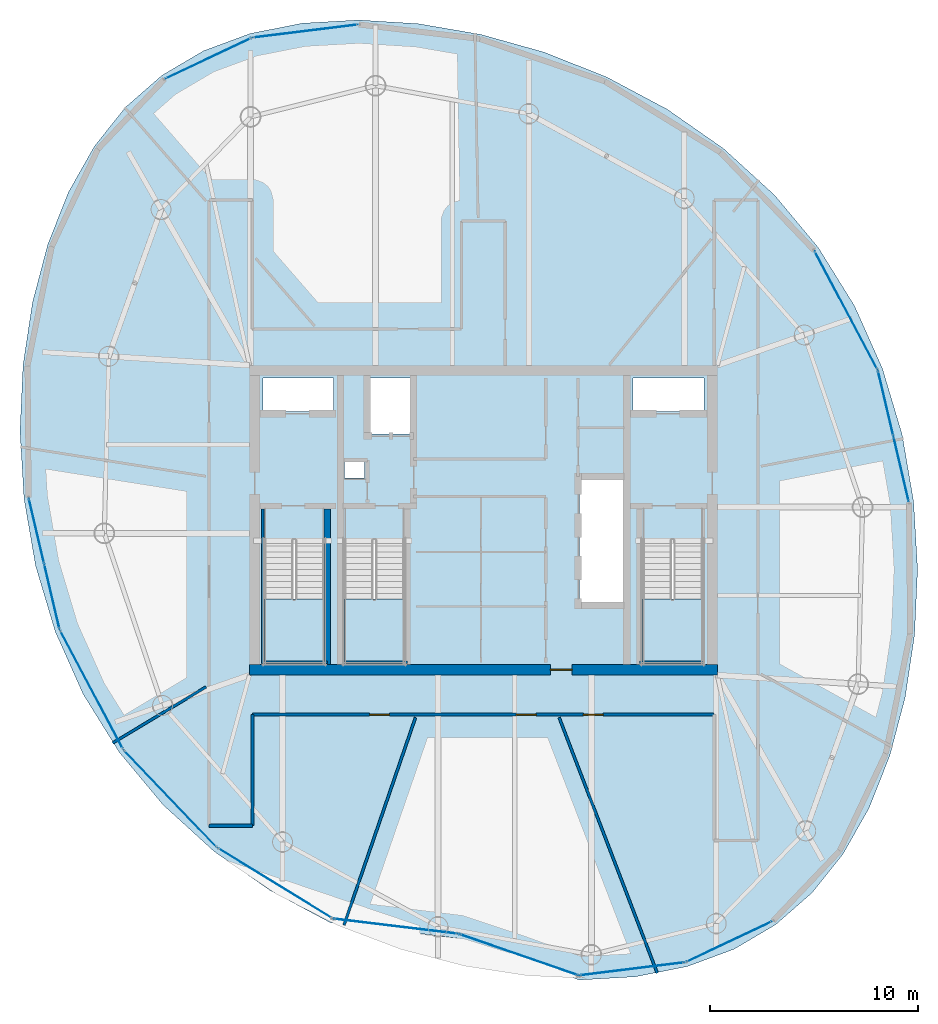
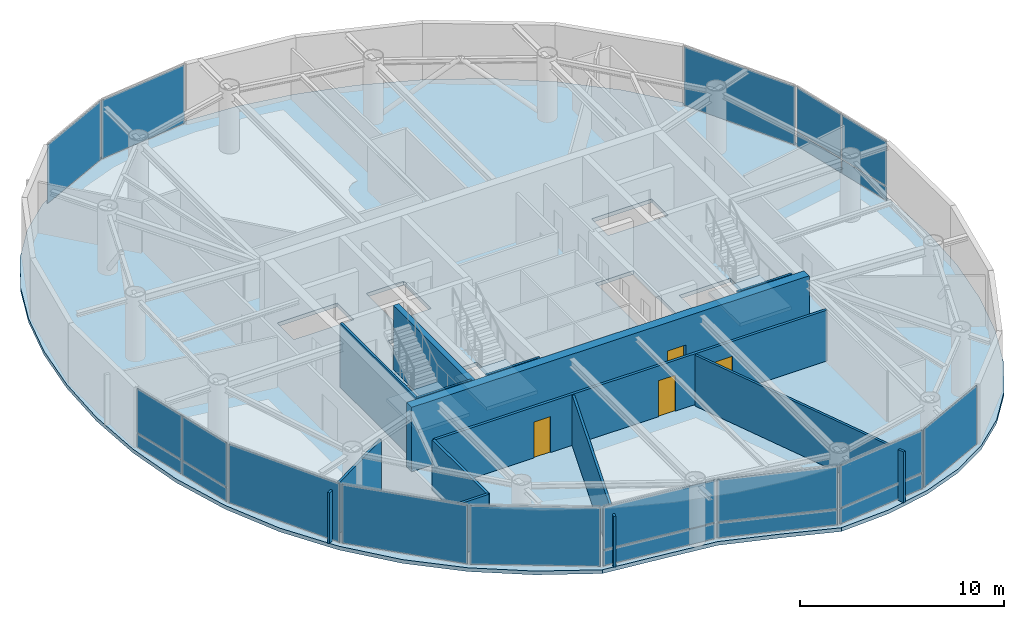
# One storey, part 15 of 21: 21 plates, 12 walls, 4 doors, 4 slabs, 4 openings, 15 elements without a shape of their own.
"""IFC4 building model written with IfcOpenShell, lengths in metres."""

from ifc_helpers import new_model, si_unit, direction, frame, frame_2d, origin, origin_2d, place, context, subcontext, project, spatial, polyline, rectangle, outline, extrude, material, layer, layer_set, type_object, element, fill, aggregate, save


model = new_model("IFC4")

# Units and contexts
model_context = context("Model", 3, precision=1e-05, world=origin(), true_north=direction((0.0, 1.0)))
body_context = subcontext(model_context, "Body", "Model", "MODEL_VIEW")
ifc_project = project(units=[si_unit("LENGTHUNIT", "METRE"), si_unit("AREAUNIT", "SQUARE_METRE"), si_unit("VOLUMEUNIT", "CUBIC_METRE"), si_unit("PLANEANGLEUNIT", "RADIAN"), si_unit("MASSUNIT", "GRAM", prefix="KILO")], contexts=[model_context])

# Site, building, storey
site_placement = place(None, origin())
site = spatial("IfcSite", under=ifc_project, at=site_placement, CompositionType="ELEMENT")
building_placement = place(site_placement, origin())
building = spatial("IfcBuilding", under=site, at=building_placement, Name="Bramvorn Convention Spire", CompositionType="ELEMENT")
storey_placement = place(building_placement, frame((0.0, 0.0, 249.75)))
storey = spatial("IfcBuildingStorey", under=building, at=storey_placement, Name="L63", CompositionType="ELEMENT", Elevation=249.75)

# Curtain wall, plates
ifc_material_1 = material(Name="Anodised Bronze Unitised Curtain Wall", Category="aluminium")
ifc_layer_1 = layer(ifc_material_1, 0.179931640625)
ifc_layer_set_1 = layer_set([ifc_layer_1], Name="Anodised Bronze Unitised Curtain Wall - CW-OFF-FRIT")
curtain_wall_type_1 = type_object("IfcCurtainWallType", Name="CW-OFF-FRIT", PredefinedType="USERDEFINED", material=ifc_layer_set_1)
curtain_wall_1_placement = place(storey_placement, origin())
curtain_wall_1 = element("IfcCurtainWall", 1, at=curtain_wall_1_placement, inside=storey, type_object=curtain_wall_type_1, Name="L63 fritted glass curtain wall 05", ObjectType="UNITISED CURTAIN WALL", PredefinedType="USERDEFINED")
ifc_material_2 = material(Name="Laminated Low-E Glass (Triple IGU High-VLT Low-Iron 22%)", Category="glass")
ifc_layer_2 = layer(ifc_material_2, 0.0419921875)
ifc_layer_set_2 = layer_set([ifc_layer_2], Name="Laminated Low-E Glass (Triple IGU High-VLT Low-Iron 22%) - PNL-IGU-4")
plate_type_1 = type_object("IfcPlateType", Name="PNL-IGU-4", PredefinedType="CURTAIN_PANEL", material=ifc_layer_set_2)
plate_1_placement = place(storey_placement, frame((57.3505859375, 31.6103515625, 0.06005859375), z_axis=(0.0, 0.0, 1.0), x_axis=(0.229078620658, -0.973407923513, 0.0)))
plate_1 = element("IfcPlate", 2, at=plate_1_placement, type_object=plate_type_1, Name="CW3 panel 1.1", PredefinedType="CURTAIN_PANEL", context=body_context, shape_type="SweptSolid", body=[
    extrude(rectangle(XDim=3.173095703125, YDim=0.028076171875, at=origin_2d()), origin(), (0.0, 0.0, 1.0), 0.81005859375),
])
plate_2_placement = place(storey_placement, frame((57.3505859375, 31.6103515625, 0.93017578125), z_axis=(0.0, 0.0, 1.0), x_axis=(0.229078620658, -0.973407923513, 0.0)))
plate_2 = element("IfcPlate", 3, at=plate_2_placement, type_object=plate_type_1, Name="CW3 panel 1.2", PredefinedType="CURTAIN_PANEL", context=body_context, shape_type="SweptSolid", body=[
    extrude(rectangle(XDim=3.173095703125, YDim=0.028076171875, at=origin_2d()), origin(), (0.0, 0.0, 1.0), 2.635009765625),
])
plate_3_placement = place(storey_placement, frame((58.091064453125, 28.46337890625, 0.06005859375), z_axis=(0.0, 0.0, 1.0), x_axis=(0.229078620658, -0.973407923513, 0.0)))
plate_3 = element("IfcPlate", 4, at=plate_3_placement, type_object=plate_type_1, Name="CW3 panel 2.1", PredefinedType="CURTAIN_PANEL", context=body_context, shape_type="SweptSolid", body=[
    extrude(rectangle(XDim=3.173095703125, YDim=0.028076171875, at=origin_2d()), origin(), (0.0, 0.0, 1.0), 0.81005859375),
])
plate_4_placement = place(storey_placement, frame((58.091064453125, 28.46337890625, 0.93017578125), z_axis=(0.0, 0.0, 1.0), x_axis=(0.229078620658, -0.973407923513, 0.0)))
plate_4 = element("IfcPlate", 5, at=plate_4_placement, type_object=plate_type_1, Name="CW3 panel 2.2", PredefinedType="CURTAIN_PANEL", context=body_context, shape_type="SweptSolid", body=[
    extrude(rectangle(XDim=3.173095703125, YDim=0.028076171875, at=origin_2d()), origin(), (0.0, 0.0, 1.0), 2.635009765625),
])
aggregate(curtain_wall_1, [plate_1, plate_2, plate_3, plate_4])

# Curtain wall, plate
curtain_wall_2_placement = place(storey_placement, origin())
curtain_wall_2 = element("IfcCurtainWall", 6, at=curtain_wall_2_placement, inside=storey, type_object=curtain_wall_type_1, Name="L63 fritted glass curtain wall 06", ObjectType="UNITISED CURTAIN WALL", PredefinedType="USERDEFINED")
plate_5_placement = place(storey_placement, frame((55.44287109375, 36.095458984375, 0.06005859375), z_axis=(0.0, 0.0, 1.0), x_axis=(0.468988309542, -0.883204373581, 0.0)))
plate_5 = element("IfcPlate", 7, at=plate_5_placement, type_object=plate_type_1, Name="CW3 panel 1.1", PredefinedType="CURTAIN_PANEL", context=body_context, shape_type="SweptSolid", body=[
    extrude(rectangle(XDim=6.406982421875, YDim=0.028076171875, at=origin_2d()), origin(), (0.0, 0.0, 1.0), 3.5048828125),
])
aggregate(curtain_wall_2, [plate_5])

curtain_wall_3_placement = place(storey_placement, origin())
curtain_wall_3 = element("IfcCurtainWall", 8, at=curtain_wall_3_placement, inside=storey, type_object=curtain_wall_type_1, Name="L63 fritted glass curtain wall 11", ObjectType="UNITISED CURTAIN WALL", PredefinedType="USERDEFINED")
plate_6_placement = place(storey_placement, frame((29.441650390625, 49.525634765625, 0.06005859375), z_axis=(0.0, 0.0, 1.0), x_axis=(0.992448324609, 0.122663454134, 0.0)))
plate_6 = element("IfcPlate", 9, at=plate_6_placement, type_object=plate_type_1, Name="CW3 panel 1.1", PredefinedType="CURTAIN_PANEL", context=body_context, shape_type="SweptSolid", body=[
    extrude(rectangle(XDim=5.059326171875, YDim=0.028076171875, at=origin_2d()), origin(), (0.0, 0.0, 1.0), 3.5048828125),
])
aggregate(curtain_wall_3, [plate_6])

curtain_wall_4_placement = place(storey_placement, origin())
curtain_wall_4 = element("IfcCurtainWall", 10, at=curtain_wall_4_placement, inside=storey, type_object=curtain_wall_type_1, Name="L63 fritted glass curtain wall 12", ObjectType="UNITISED CURTAIN WALL", PredefinedType="USERDEFINED")
plate_7_placement = place(storey_placement, frame((24.76953125, 48.214111328125, 0.06005859375), z_axis=(0.0, 0.0, 1.0), x_axis=(0.904058519664, 0.427408695539, 0.0)))
plate_7 = element("IfcPlate", 11, at=plate_7_placement, type_object=plate_type_1, Name="CW3 panel 1.1", PredefinedType="CURTAIN_PANEL", context=body_context, shape_type="SweptSolid", body=[
    extrude(rectangle(XDim=4.530517578125, YDim=0.028076171875, at=origin_2d()), origin(), (0.0, 0.0, 1.0), 3.5048828125),
])
aggregate(curtain_wall_4, [plate_7])

# Curtain wall, plates
curtain_wall_5_placement = place(storey_placement, origin())
curtain_wall_5 = element("IfcCurtainWall", 12, at=curtain_wall_5_placement, inside=storey, type_object=curtain_wall_type_1, Name="L63 fritted glass curtain wall 17", ObjectType="UNITISED CURTAIN WALL", PredefinedType="USERDEFINED")
plate_8_placement = place(storey_placement, frame((17.243896484375, 22.3349609375, 0.06005859375), z_axis=(0.0, 0.0, 1.0), x_axis=(-0.229078620658, 0.973407923513, 0.0)))
plate_8 = element("IfcPlate", 13, at=plate_8_placement, type_object=plate_type_1, Name="CW3 panel 1.1", PredefinedType="CURTAIN_PANEL", context=body_context, shape_type="SweptSolid", body=[
    extrude(rectangle(XDim=3.173095703125, YDim=0.028076171875, at=origin_2d()), origin(), (0.0, 0.0, 1.0), 0.81005859375),
])
plate_9_placement = place(storey_placement, frame((17.243896484375, 22.3349609375, 0.93017578125), z_axis=(0.0, 0.0, 1.0), x_axis=(-0.229078620658, 0.973407923513, 0.0)))
plate_9 = element("IfcPlate", 14, at=plate_9_placement, type_object=plate_type_1, Name="CW3 panel 1.2", PredefinedType="CURTAIN_PANEL", context=body_context, shape_type="SweptSolid", body=[
    extrude(rectangle(XDim=3.173095703125, YDim=0.028076171875, at=origin_2d()), origin(), (0.0, 0.0, 1.0), 2.635009765625),
])
plate_10_placement = place(storey_placement, frame((16.503173828125, 25.48193359375, 0.06005859375), z_axis=(0.0, 0.0, 1.0), x_axis=(-0.229078620658, 0.973407923513, 0.0)))
plate_10 = element("IfcPlate", 15, at=plate_10_placement, type_object=plate_type_1, Name="CW3 panel 2.1", PredefinedType="CURTAIN_PANEL", context=body_context, shape_type="SweptSolid", body=[
    extrude(rectangle(XDim=3.173095703125, YDim=0.028076171875, at=origin_2d()), origin(), (0.0, 0.0, 1.0), 0.81005859375),
])
plate_11_placement = place(storey_placement, frame((16.503173828125, 25.48193359375, 0.93017578125), z_axis=(0.0, 0.0, 1.0), x_axis=(-0.229078620658, 0.973407923513, 0.0)))
plate_11 = element("IfcPlate", 16, at=plate_11_placement, type_object=plate_type_1, Name="CW3 panel 2.2", PredefinedType="CURTAIN_PANEL", context=body_context, shape_type="SweptSolid", body=[
    extrude(rectangle(XDim=3.173095703125, YDim=0.028076171875, at=origin_2d()), origin(), (0.0, 0.0, 1.0), 2.635009765625),
])
aggregate(curtain_wall_5, [plate_8, plate_9, plate_10, plate_11])

# Curtain wall, plate
curtain_wall_6_placement = place(storey_placement, origin())
curtain_wall_6 = element("IfcCurtainWall", 17, at=curtain_wall_6_placement, inside=storey, type_object=curtain_wall_type_1, Name="L63 fritted glass curtain wall 18", ObjectType="UNITISED CURTAIN WALL", PredefinedType="USERDEFINED")
plate_12_placement = place(storey_placement, frame((19.151611328125, 17.849853515625, 0.06005859375), z_axis=(0.0, 0.0, 1.0), x_axis=(-0.468994655721, 0.883201003682, 0.0)))
plate_12 = element("IfcPlate", 18, at=plate_12_placement, type_object=plate_type_1, Name="CW3 panel 1.1", PredefinedType="CURTAIN_PANEL", context=body_context, shape_type="SweptSolid", body=[
    extrude(rectangle(XDim=6.406982421875, YDim=0.028076171875, at=origin_2d()), origin(), (0.0, 0.0, 1.0), 3.5048828125),
])
aggregate(curtain_wall_6, [plate_12])

curtain_wall_7_placement = place(storey_placement, origin())
curtain_wall_7 = element("IfcCurtainWall", 19, at=curtain_wall_7_placement, inside=storey, type_object=curtain_wall_type_1, Name="L63 fritted glass curtain wall 19", ObjectType="UNITISED CURTAIN WALL", PredefinedType="USERDEFINED")
plate_13_placement = place(storey_placement, frame((22.938232421875, 12.609375, 0.06005859375), z_axis=(0.0, 0.0, 1.0), x_axis=(-0.69126751864, 0.722598932793, 0.0)))
plate_13 = element("IfcPlate", 20, at=plate_13_placement, type_object=plate_type_1, Name="CW3 panel 1.1", PredefinedType="CURTAIN_PANEL", context=body_context, shape_type="SweptSolid", body=[
    extrude(rectangle(XDim=6.406982421875, YDim=0.028076171875, at=origin_2d()), origin(), (0.0, 0.0, 1.0), 3.5048828125),
])
aggregate(curtain_wall_7, [plate_13])

curtain_wall_8_placement = place(storey_placement, origin())
curtain_wall_8 = element("IfcCurtainWall", 21, at=curtain_wall_8_placement, inside=storey, type_object=curtain_wall_type_1, Name="L63 fritted glass curtain wall 20", ObjectType="UNITISED CURTAIN WALL", PredefinedType="USERDEFINED")
plate_14_placement = place(storey_placement, frame((27.97509765625, 8.544189453125, 0.06005859375), z_axis=(0.0, 0.0, 1.0), x_axis=(-0.852253327521, 0.523129301157, 0.0)))
plate_14 = element("IfcPlate", 22, at=plate_14_placement, type_object=plate_type_1, Name="CW3 panel 1.1", PredefinedType="CURTAIN_PANEL", context=body_context, shape_type="SweptSolid", body=[
    extrude(rectangle(XDim=6.406005859375, YDim=0.028076171875, at=origin_2d()), origin(), (0.0, 0.0, 1.0), 3.5048828125),
])
aggregate(curtain_wall_8, [plate_14])

curtain_wall_9_placement = place(storey_placement, origin())
curtain_wall_9 = element("IfcCurtainWall", 23, at=curtain_wall_9_placement, inside=storey, type_object=curtain_wall_type_1, Name="L63 fritted glass curtain wall 24", ObjectType="UNITISED CURTAIN WALL", PredefinedType="USERDEFINED")
plate_15_placement = place(storey_placement, frame((49.824951171875, 5.731201171875, 0.06005859375), z_axis=(0.0, 0.0, 1.0), x_axis=(-0.904058519664, -0.427408695539, 0.0)))
plate_15 = element("IfcPlate", 24, at=plate_15_placement, type_object=plate_type_1, Name="CW3 panel 1.1", PredefinedType="CURTAIN_PANEL", context=body_context, shape_type="SweptSolid", body=[
    extrude(rectangle(XDim=4.530517578125, YDim=0.028076171875, at=origin_2d()), origin(), (0.0, 0.0, 1.0), 3.5048828125),
])
aggregate(curtain_wall_9, [plate_15])

# Curtain wall, plates
ifc_layer_3 = layer(ifc_material_1, 0.219970703125)
ifc_layer_set_3 = layer_set([ifc_layer_3], Name="Anodised Bronze Unitised Curtain Wall - CW-SKYGARDEN")
curtain_wall_type_2 = type_object("IfcCurtainWallType", Name="CW-SKYGARDEN", PredefinedType="USERDEFINED", material=ifc_layer_set_3)
curtain_wall_10_placement = place(storey_placement, origin())
curtain_wall_10 = element("IfcCurtainWall", 25, at=curtain_wall_10_placement, inside=storey, type_object=curtain_wall_type_2, Name="L63 Sky Garden glazed facade 21", ObjectType="WINTER GARDEN GLAZING", PredefinedType="USERDEFINED")
ifc_material_3 = material(Name="Laminated Low-E Glass (Acoustic Laminated Podium Triple IGU)", Category="glass")
ifc_layer_4 = layer(ifc_material_3, 0.0458984375)
ifc_layer_set_4 = layer_set([ifc_layer_4], Name="Laminated Low-E Glass (Acoustic Laminated Podium Triple IGU) - PNL-IGU-5")
plate_type_2 = type_object("IfcPlateType", Name="PNL-IGU-5", PredefinedType="CURTAIN_PANEL", material=ifc_layer_set_4)
plate_16_placement = place(storey_placement, frame((33.775634765625, 6.47216796875, 0.06005859375), z_axis=(0.0, 0.0, 1.0), x_axis=(-0.992771756783, 0.120017660921, 0.0)))
plate_16 = element("IfcPlate", 26, at=plate_16_placement, type_object=plate_type_2, Name="CW4 panel 1.1", PredefinedType="CURTAIN_PANEL", context=body_context, shape_type="SweptSolid", body=[
    extrude(rectangle(XDim=5.96337890625, YDim=0.028076171875, at=origin_2d()), origin(), (0.0, 0.0, 1.0), 0.909912109375),
])
plate_17_placement = place(storey_placement, frame((33.775634765625, 6.47216796875, 1.0302734375), z_axis=(0.0, 0.0, 1.0), x_axis=(-0.992771756783, 0.120017660921, 0.0)))
plate_17 = element("IfcPlate", 27, at=plate_17_placement, type_object=plate_type_2, Name="CW4 panel 1.2", PredefinedType="CURTAIN_PANEL", context=body_context, shape_type="SweptSolid", body=[
    extrude(rectangle(XDim=5.96337890625, YDim=0.028076171875, at=origin_2d()), origin(), (0.0, 0.0, 1.0), 2.534912109375),
])
aggregate(curtain_wall_10, [plate_16, plate_17])

curtain_wall_11_placement = place(storey_placement, origin())
curtain_wall_11 = element("IfcCurtainWall", 28, at=curtain_wall_11_placement, inside=storey, type_object=curtain_wall_type_2, Name="L63 Sky Garden glazed facade 22", ObjectType="WINTER GARDEN GLAZING", PredefinedType="USERDEFINED")
plate_18_placement = place(storey_placement, frame((39.68896484375, 5.1044921875, 0.06005859375), z_axis=(0.0, 0.0, 1.0), x_axis=(-0.944905098602, 0.327344397594, 0.0)))
plate_18 = element("IfcPlate", 29, at=plate_18_placement, type_object=plate_type_2, Name="CW4 panel 1.1", PredefinedType="CURTAIN_PANEL", context=body_context, shape_type="SweptSolid", body=[
    extrude(rectangle(XDim=6.004638671875, YDim=0.028076171875, at=origin_2d()), origin(), (0.0, 0.0, 1.0), 0.909912109375),
])
plate_19_placement = place(storey_placement, frame((39.68896484375, 5.1044921875, 1.0302734375), z_axis=(0.0, 0.0, 1.0), x_axis=(-0.944905098602, 0.327344397594, 0.0)))
plate_19 = element("IfcPlate", 30, at=plate_19_placement, type_object=plate_type_2, Name="CW4 panel 1.2", PredefinedType="CURTAIN_PANEL", context=body_context, shape_type="SweptSolid", body=[
    extrude(rectangle(XDim=6.004638671875, YDim=0.028076171875, at=origin_2d()), origin(), (0.0, 0.0, 1.0), 2.534912109375),
])
aggregate(curtain_wall_11, [plate_18, plate_19])

curtain_wall_12_placement = place(storey_placement, origin())
curtain_wall_12 = element("IfcCurtainWall", 31, at=curtain_wall_12_placement, inside=storey, type_object=curtain_wall_type_2, Name="L63 Sky Garden glazed facade 23", ObjectType="WINTER GARDEN GLAZING", PredefinedType="USERDEFINED")
plate_20_placement = place(storey_placement, frame((45.152587890625, 4.419677734375, 0.06005859375), z_axis=(0.0, 0.0, 1.0), x_axis=(-0.992450674928, -0.122644436622, 0.0)))
plate_20 = element("IfcPlate", 32, at=plate_20_placement, type_object=plate_type_2, Name="CW4 panel 1.1", PredefinedType="CURTAIN_PANEL", context=body_context, shape_type="SweptSolid", body=[
    extrude(rectangle(XDim=5.05908203125, YDim=0.028076171875, at=origin_2d()), origin(), (0.0, 0.0, 1.0), 0.909912109375),
])
plate_21_placement = place(storey_placement, frame((45.152587890625, 4.419677734375, 1.0302734375), z_axis=(0.0, 0.0, 1.0), x_axis=(-0.992450674928, -0.122644436622, 0.0)))
plate_21 = element("IfcPlate", 33, at=plate_21_placement, type_object=plate_type_2, Name="CW4 panel 1.2", PredefinedType="CURTAIN_PANEL", context=body_context, shape_type="SweptSolid", body=[
    extrude(rectangle(XDim=5.05908203125, YDim=0.028076171875, at=origin_2d()), origin(), (0.0, 0.0, 1.0), 2.534912109375),
])
aggregate(curtain_wall_12, [plate_20, plate_21])

# Stair, slab
ifc_material_4 = material(Name="Concrete C40/50 Precast Stair", Category="concrete")
stair_type = type_object("IfcStairType", Name="ST-TOWER-1550", PredefinedType="HALF_TURN_STAIR", material=ifc_material_4)
stair_1_placement = place(storey_placement, origin())
stair_1 = element("IfcStair", 34, at=stair_1_placement, inside=storey, type_object=stair_type, Name="L63 Protected Exit Stair ST1", PredefinedType="HALF_TURN_STAIR")
ifc_material_5 = material(Name="Concrete C40/50 Stair Landing", Category="concrete")
ifc_layer_5 = layer(ifc_material_5, 0.219970703125)
ifc_layer_set_5 = layer_set([ifc_layer_5], Name="Concrete C40/50 Stair Landing - SLB-STAIR-LANDING")
slab_type_1 = type_object("IfcSlabType", Name="SLB-STAIR-LANDING", PredefinedType="LANDING", material=ifc_layer_set_5)
slab_1_placement = place(storey_placement, frame((0.0, 0.0, 1.72509765625)))
slab_1 = element("IfcSlab", 35, at=slab_1_placement, type_object=slab_type_1, Name="ST1 landing 1", PredefinedType="LANDING", context=body_context, shape_type="SweptSolid", body=[
    extrude(outline(polyline([(27.449951171875, 22.199951171875), (27.449951171875, 19.10009765625), (30.35009765625, 19.10009765625), (30.35009765625, 22.199951171875), (27.449951171875, 22.199951171875)])), origin(), (0.0, 0.0, 1.0), 0.199951171875),
])
aggregate(stair_1, [slab_1])

stair_2_placement = place(storey_placement, origin())
stair_2 = element("IfcStair", 36, at=stair_2_placement, inside=storey, type_object=stair_type, Name="L63 Protected Exit Stair ST2", PredefinedType="HALF_TURN_STAIR")
slab_2_placement = place(storey_placement, frame((0.0, 0.0, 1.72509765625)))
slab_2 = element("IfcSlab", 37, at=slab_2_placement, type_object=slab_type_1, Name="ST2 landing 1", PredefinedType="LANDING", context=body_context, shape_type="SweptSolid", body=[
    extrude(outline(polyline([(45.64990234375, 22.199951171875), (45.64990234375, 19.10009765625), (48.550048828125, 19.10009765625), (48.550048828125, 22.199951171875), (45.64990234375, 22.199951171875)])), origin(), (0.0, 0.0, 1.0), 0.199951171875),
])
aggregate(stair_2, [slab_2])

stair_3_placement = place(storey_placement, origin())
stair_3 = element("IfcStair", 38, at=stair_3_placement, inside=storey, type_object=stair_type, Name="L63 Protected Exit Stair ST3", PredefinedType="HALF_TURN_STAIR")
slab_3_placement = place(storey_placement, frame((0.0, 0.0, 1.72509765625)))
slab_3 = element("IfcSlab", 39, at=slab_3_placement, type_object=slab_type_1, Name="ST3 landing 1", PredefinedType="LANDING", context=body_context, shape_type="SweptSolid", body=[
    extrude(outline(polyline([(31.300048828125, 22.199951171875), (31.300048828125, 19.10009765625), (34.199951171875, 19.10009765625), (34.199951171875, 22.199951171875), (31.300048828125, 22.199951171875)])), origin(), (0.0, 0.0, 1.0), 0.199951171875),
])
aggregate(stair_3, [slab_3])

# Slab
ifc_material_6 = material(Name="Concrete C40/50", Category="concrete")
ifc_layer_6 = layer(ifc_material_6, 0.22509765625)
ifc_layer_set_6 = layer_set([ifc_layer_6], Name="Concrete C40/50 - SLB-Z4-225")
slab_type_2 = type_object("IfcSlabType", Name="SLB-Z4-225", PredefinedType="FLOOR", material=ifc_layer_set_6)
slab_4_placement = place(storey_placement, frame((0.0, 0.0, -0.22509765625)))
element("IfcSlab", 40, at=slab_4_placement, inside=storey, type_object=slab_type_2, Name="L63 tower floor slab", PredefinedType="FLOOR", context=body_context, shape_type="SweptSolid", body=[
    extrude(outline(polyline([(52.055908203125, 6.546630859375), (53.80419921875, 8.07568359375), (55.302001953125, 9.951416015625), (56.55126953125, 12.161376953125), (57.548583984375, 14.680908203125), (58.283935546875, 17.47119140625), (58.73779296875, 20.480712890625), (58.884033203125, 23.643798828125), (58.693359375, 26.887451171875), (58.136474609375, 30.132568359375), (57.19091796875, 33.30029296875), (55.845458984375, 36.316650390625), (54.104736328125, 39.116943359375), (51.99267578125, 41.64892578125), (49.55126953125, 43.873291015625), (46.840576171875, 45.765869140625), (43.9345703125, 47.3134765625), (40.914794921875, 48.512939453125), (37.865478515625, 49.3671875), (34.865966796875, 49.88134765625), (31.98583984375, 50.0595703125), (29.280517578125, 49.903564453125), (26.790283203125, 49.411376953125), (24.5390625, 48.578125), (22.538330078125, 47.398681640625), (20.790283203125, 45.869384765625), (19.29248046875, 43.993896484375), (18.043212890625, 41.783935546875), (17.045654296875, 39.2646484375), (16.310546875, 36.47412109375), (15.856689453125, 33.464599609375), (15.710205078125, 30.301513671875), (15.901123046875, 27.057861328125), (16.4580078125, 23.812744140625), (17.403564453125, 20.645263671875), (18.7490234375, 17.628662109375), (20.489501953125, 14.828369140625), (22.601806640625, 12.29638671875), (25.043212890625, 10.072021484375), (27.75390625, 8.179443359375), (30.659912109375, 6.6318359375), (33.818115234375, 6.25830078125), (36.76220703125, 5.889404296875), (39.635009765625, 4.942626953125), (42.608642578125, 3.8857421875), (45.31396484375, 4.041748046875), (47.80419921875, 4.533935546875), (50.055419921875, 5.3671875), (52.055908203125, 6.546630859375)]), holes=[polyline([(27.449951171875, 25.050048828125), (27.449951171875, 19.10009765625), (30.35009765625, 19.10009765625), (30.35009765625, 25.050048828125), (27.449951171875, 25.050048828125)]), polyline([(45.64990234375, 25.050048828125), (45.64990234375, 19.10009765625), (48.550048828125, 19.10009765625), (48.550048828125, 25.050048828125), (45.64990234375, 25.050048828125)]), polyline([(31.300048828125, 25.050048828125), (31.300048828125, 19.10009765625), (34.199951171875, 19.10009765625), (34.199951171875, 25.050048828125), (31.300048828125, 25.050048828125)]), polyline([(27.39990234375, 31.219970703125), (30.800048828125, 31.219970703125), (30.800048828125, 32.85009765625), (27.39990234375, 32.85009765625), (27.39990234375, 31.219970703125)]), polyline([(45.199951171875, 31.219970703125), (48.60009765625, 31.219970703125), (48.60009765625, 32.85009765625), (45.199951171875, 32.85009765625), (45.199951171875, 31.219970703125)]), polyline([(32.449951171875, 30.14990234375), (34.56005859375, 30.14990234375), (34.56005859375, 32.85009765625), (32.449951171875, 32.85009765625), (32.449951171875, 30.14990234375)]), polyline([(42.6201171875, 22.0), (44.75, 22.0), (44.75, 28.0), (42.6201171875, 28.0), (42.6201171875, 22.0)]), polyline([(31.320068359375, 28.02001953125), (32.280029296875, 28.02001953125), (32.280029296875, 28.820068359375), (31.320068359375, 28.820068359375), (31.320068359375, 28.02001953125)])]), origin(), (0.0, 0.0, 1.0), 0.22509765625),
])

# Wall, opening, door
ifc_material_7 = material(Name="Concrete C50/60", Category="concrete")
ifc_layer_7 = layer(ifc_material_7, 0.5)
ifc_layer_set_7 = layer_set([ifc_layer_7], Name="Concrete C50/60 - WL-CORE-500")
wall_type_1 = type_object("IfcWallType", Name="WL-CORE-500", PredefinedType="SHEAR", material=ifc_layer_set_7)
wall_1_placement = place(storey_placement, frame((26.75, 18.800048828125, 0.0), z_axis=(0.0, 0.0, 1.0), x_axis=(1.0, 0.0, 0.0)))
wall_1 = element("IfcWall", 41, at=wall_1_placement, inside=storey, type_object=wall_type_1, Name="L63 South RC core shear wall", PredefinedType="SHEAR", context=body_context, shape_type="SweptSolid", body=[
    extrude(rectangle(XDim=22.5, YDim=0.5, at=frame_2d((11.25, 0.0))), origin(), (0.0, 0.0, 1.0), 3.85009765625),
])
opening_1_placement = place(wall_1_placement, frame((14.469970703125, 0.0, 0.0)))
opening_1 = element("IfcOpeningElement", 42, at=opening_1_placement, cuts=wall_1, Name="Opening DL-105", PredefinedType="OPENING", context=body_context, shape_type="SweptSolid", body=[
    extrude(rectangle(XDim=1.050048828125, YDim=2.14990234375, at=frame_2d((0.52490234375, 1.074951171875))), frame((0.0, 0.260009765625, 0.0), z_axis=(0.0, -1.0, 0.0), x_axis=(1.0, 0.0, 0.0)), (0.0, 0.0, 1.0), 0.52001953125),
])
ifc_material_8 = material(Name="Smoke-Sealed Fire Lobby Timber-Core Door", Category="wood")
door_type_1 = type_object("IfcDoorType", Name="DR-LOBBY-1050", OperationType="NOTDEFINED", PredefinedType="DOOR", material=ifc_material_8)
door_1_placement = place(opening_1_placement, origin())
door_1 = element("IfcDoor", 43, at=door_1_placement, inside=storey, type_object=door_type_1, Name="L63 South Lift Lobby fire door", OperationType="SINGLE_SWING_RIGHT", OverallHeight=2.14990234375, OverallWidth=1.050048828125, PredefinedType="DOOR", context=body_context, shape_type="SweptSolid", body=[
    extrude(rectangle(XDim=1.050048828125, YDim=2.14990234375, at=frame_2d((0.52490234375, 1.074951171875))), frame((0.0, 0.02490234375, 0.0), z_axis=(0.0, -1.0, 0.0), x_axis=(1.0, 0.0, 0.0)), (0.0, 0.0, 1.0), 0.050048828125),
])
fill(opening_1, door_1)

# Walls
ifc_material_9 = material(Name="Metal-Stud Demountable Office Partition", Category="gypsum")
ifc_layer_8 = layer(ifc_material_9, 0.1298828125)
ifc_layer_set_8 = layer_set([ifc_layer_8], Name="Metal-Stud Demountable Office Partition - WL-PART-130")
wall_type_2 = type_object("IfcWallType", Name="WL-PART-130", PredefinedType="PARTITIONING", material=ifc_layer_set_8)
wall_2_placement = place(storey_placement, frame((24.659912109375, 17.984619140625, 0.0), z_axis=(0.0, 0.0, 1.0), x_axis=(-0.857155707128, -0.515057369366, 0.0)))
element("IfcWall", 44, at=wall_2_placement, inside=storey, type_object=wall_type_2, Name="L63 Tenant suite partition 6", PredefinedType="PARTITIONING", context=body_context, shape_type="SweptSolid", body=[
    extrude(rectangle(XDim=5.2412109375, YDim=0.1298828125, at=frame_2d((2.62060546875, 0.0))), origin(), (0.0, 0.0, 1.0), 3.0400390625),
])
wall_3_placement = place(storey_placement, frame((34.732421875, 16.510009765625, 0.0), z_axis=(0.0, 0.0, 1.0), x_axis=(-0.325577330782, -0.945515415887, 0.0)))
element("IfcWall", 45, at=wall_3_placement, inside=storey, type_object=wall_type_2, Name="L63 Tenant suite partition 7", PredefinedType="PARTITIONING", context=body_context, shape_type="SweptSolid", body=[
    extrude(rectangle(XDim=10.55810546875, YDim=0.1298828125, at=frame_2d((5.279052734375, 0.0))), origin(), (0.0, 0.0, 1.0), 3.0400390625),
])
wall_4_placement = place(storey_placement, frame((41.642822265625, 16.510009765625, 0.0), z_axis=(0.0, 0.0, 1.0), x_axis=(0.358373851229, -0.933578161032, 0.0)))
element("IfcWall", 46, at=wall_4_placement, inside=storey, type_object=wall_type_2, Name="L63 Tenant suite partition 8", PredefinedType="PARTITIONING", context=body_context, shape_type="SweptSolid", body=[
    extrude(rectangle(XDim=13.165771484375, YDim=0.1298828125, at=frame_2d((6.5830078125, 0.0))), origin(), (0.0, 0.0, 1.0), 3.0400390625),
])

# Wall, openings, doors
ifc_material_10 = material(Name="Acoustic Metal-Stud Tenant/Corridor Partition", Category="gypsum")
ifc_layer_9 = layer(ifc_material_10, 0.14990234375)
ifc_layer_set_9 = layer_set([ifc_layer_9], Name="Acoustic Metal-Stud Tenant/Corridor Partition - WL-PART-150")
wall_type_3 = type_object("IfcWallType", Name="WL-PART-150", PredefinedType="PARTITIONING", material=ifc_layer_set_9)
wall_5_placement = place(storey_placement, frame((26.89990234375, 16.64990234375, 0.0), z_axis=(0.0, 0.0, 1.0), x_axis=(1.0, 0.0, 0.0)))
wall_5 = element("IfcWall", 47, at=wall_5_placement, inside=storey, type_object=wall_type_3, Name="L63 South H-crossbar wall", PredefinedType="PARTITIONING", context=body_context, shape_type="SweptSolid", body=[
    extrude(rectangle(XDim=22.2001953125, YDim=0.14990234375, at=frame_2d((11.10009765625, 0.0))), origin(), (0.0, 0.0, 1.0), 3.0400390625),
])
opening_2_placement = place(wall_5_placement, frame((5.626708984375, 0.0, 0.0)))
opening_2 = element("IfcOpeningElement", 48, at=opening_2_placement, cuts=wall_5, Name="Opening DH-095", PredefinedType="OPENING", context=body_context, shape_type="SweptSolid", body=[
    extrude(rectangle(XDim=0.949951171875, YDim=2.14990234375, at=frame_2d((0.47509765625, 1.074951171875))), frame((0.0, 0.0849609375, 0.0), z_axis=(0.0, -1.0, 0.0), x_axis=(1.0, 0.0, 0.0)), (0.0, 0.0, 1.0), 0.169921875),
])
opening_3_placement = place(wall_5_placement, frame((12.684326171875, 0.0, 0.0)))
opening_3 = element("IfcOpeningElement", 49, at=opening_3_placement, cuts=wall_5, Name="Opening DH-095", PredefinedType="OPENING", context=body_context, shape_type="SweptSolid", body=[
    extrude(rectangle(XDim=0.949951171875, YDim=2.14990234375, at=frame_2d((0.47509765625, 1.074951171875))), frame((0.0, 0.0849609375, 0.0), z_axis=(0.0, -1.0, 0.0), x_axis=(1.0, 0.0, 0.0)), (0.0, 0.0, 1.0), 0.169921875),
])
opening_4_placement = place(wall_5_placement, frame((15.904052734375, 0.0, 0.0)))
opening_4 = element("IfcOpeningElement", 50, at=opening_4_placement, cuts=wall_5, Name="Opening DH-095", PredefinedType="OPENING", context=body_context, shape_type="SweptSolid", body=[
    extrude(rectangle(XDim=0.949951171875, YDim=2.14990234375, at=frame_2d((0.47509765625, 1.074951171875))), frame((0.0, 0.0849609375, 0.0), z_axis=(0.0, -1.0, 0.0), x_axis=(1.0, 0.0, 0.0)), (0.0, 0.0, 1.0), 0.169921875),
])
ifc_material_11 = material(Name="Solid-Core Acoustic Guestroom Entry Door", Category="wood")
door_type_2 = type_object("IfcDoorType", Name="DR-HOTEL-950", OperationType="NOTDEFINED", PredefinedType="DOOR", material=ifc_material_11)
door_2_placement = place(opening_2_placement, origin())
door_2 = element("IfcDoor", 51, at=door_2_placement, inside=storey, type_object=door_type_2, Name="L63 Sky Garden Lounge door", OperationType="SINGLE_SWING_RIGHT", OverallHeight=2.14990234375, OverallWidth=0.949951171875, PredefinedType="DOOR", context=body_context, shape_type="SweptSolid", body=[
    extrude(rectangle(XDim=0.949951171875, YDim=2.14990234375, at=frame_2d((0.47509765625, 1.074951171875))), frame((0.0, 0.02490234375, 0.0), z_axis=(0.0, -1.0, 0.0), x_axis=(1.0, 0.0, 0.0)), (0.0, 0.0, 1.0), 0.050048828125),
])
fill(opening_2, door_2)
door_3_placement = place(opening_3_placement, origin())
door_3 = element("IfcDoor", 52, at=door_3_placement, inside=storey, type_object=door_type_2, Name="L63 Records Store 8 door", OperationType="SINGLE_SWING_LEFT", OverallHeight=2.14990234375, OverallWidth=0.949951171875, PredefinedType="DOOR", context=body_context, shape_type="SweptSolid", body=[
    extrude(rectangle(XDim=0.949951171875, YDim=2.14990234375, at=frame_2d((0.47509765625, 1.074951171875))), frame((0.0, 0.02490234375, 0.0), z_axis=(0.0, -1.0, 0.0), x_axis=(1.0, 0.0, 0.0)), (0.0, 0.0, 1.0), 0.050048828125),
])
fill(opening_3, door_3)
door_4_placement = place(opening_4_placement, origin())
door_4 = element("IfcDoor", 53, at=door_4_placement, inside=storey, type_object=door_type_2, Name="L63 Tenant Briefing Room 9 door", OperationType="SINGLE_SWING_LEFT", OverallHeight=2.14990234375, OverallWidth=0.949951171875, PredefinedType="DOOR", context=body_context, shape_type="SweptSolid", body=[
    extrude(rectangle(XDim=0.949951171875, YDim=2.14990234375, at=frame_2d((0.47509765625, 1.074951171875))), frame((0.0, 0.02490234375, 0.0), z_axis=(0.0, -1.0, 0.0), x_axis=(1.0, 0.0, 0.0)), (0.0, 0.0, 1.0), 0.050048828125),
])
fill(opening_4, door_4)

# Walls
wall_6_placement = place(storey_placement, frame((26.89990234375, 11.30615234375, 0.0), z_axis=(0.0, 0.0, 1.0), x_axis=(0.0, 1.0, 0.0)))
element("IfcWall", 54, at=wall_6_placement, inside=storey, type_object=wall_type_3, Name="L63 West gallery SE wall", PredefinedType="PARTITIONING", context=body_context, shape_type="SweptSolid", body=[
    extrude(rectangle(XDim=5.34375, YDim=0.14990234375, at=frame_2d((2.671875, 0.0))), origin(), (0.0, 0.0, 1.0), 3.0400390625),
])
wall_7_placement = place(storey_placement, frame((24.800048828125, 11.30615234375, 0.0), z_axis=(0.0, 0.0, 1.0), x_axis=(1.0, 0.0, 0.0)))
element("IfcWall", 55, at=wall_7_placement, inside=storey, type_object=wall_type_3, Name="L63 West gallery south end", PredefinedType="PARTITIONING", context=body_context, shape_type="SweptSolid", body=[
    extrude(rectangle(XDim=2.099853515625, YDim=0.14990234375, at=frame_2d((1.0498046875, 0.0))), origin(), (0.0, 0.0, 1.0), 3.0400390625),
])
ifc_layer_10 = layer(ifc_material_7, 0.300048828125)
ifc_layer_set_10 = layer_set([ifc_layer_10], Name="Concrete C50/60 - WL-POD-STAIR-300")
wall_type_4 = type_object("IfcWallType", Name="WL-POD-STAIR-300", PredefinedType="SHEAR", material=ifc_layer_set_10)
wall_8_placement = place(storey_placement, frame((30.489990234375, 19.050048828125, 0.0), z_axis=(0.0, 0.0, 1.0), x_axis=(0.0, 1.0, 0.0)))
element("IfcWall", 56, at=wall_8_placement, inside=storey, type_object=wall_type_4, Name="L63 ST1 east bearing wall", PredefinedType="SHEAR", context=body_context, shape_type="SweptSolid", body=[
    extrude(rectangle(XDim=7.5, YDim=0.300048828125, at=frame_2d((3.75, 0.0))), origin(), (0.0, 0.0, 1.0), 3.85009765625),
])
ifc_layer_11 = layer(ifc_material_7, 0.1201171875)
ifc_layer_set_11 = layer_set([ifc_layer_11], Name="Concrete C50/60 - WL-STAIR-RC-120")
wall_type_5 = type_object("IfcWallType", Name="WL-STAIR-RC-120", PredefinedType="SHEAR", material=ifc_layer_set_11)
wall_9_placement = place(storey_placement, frame((27.39501953125, 19.10009765625, 0.0), z_axis=(0.0, 0.0, 1.0), x_axis=(0.0, 1.0, 0.0)))
element("IfcWall", 57, at=wall_9_placement, inside=storey, type_object=wall_type_5, Name="L63 ST1 west bearing shear wall", PredefinedType="SHEAR", context=body_context, shape_type="SweptSolid", body=[
    extrude(rectangle(XDim=7.449951171875, YDim=0.1201171875, at=frame_2d((3.72509765625, 0.0))), origin(), (0.0, 0.0, 1.0), 3.85009765625),
])
for number, where, z_axis, x_axis, name in (
    (58, (27.39501953125, 19.159912109375, 0.0), (0.0, 0.0, 1.0), (1.0, 0.0, 0.0), "L63 ST1 south bearing shear wall"),
    (59, (45.510009765625, 19.159912109375, 0.0), (0.0, 0.0, 1.0), (1.0, 0.0, 0.0), "L63 ST2 south bearing shear wall"),
):
    element("IfcWall", number, at=place(storey_placement, frame(where, z_axis=z_axis, x_axis=x_axis)), inside=storey, type_object=wall_type_5, Name=name, PredefinedType="SHEAR", context=body_context, shape_type="SweptSolid", body=[
        extrude(rectangle(XDim=3.094970703125, YDim=0.1201171875, at=frame_2d((1.54736328125, 0.0))), origin(), (0.0, 0.0, 1.0), 3.85009765625),
    ])
wall_10_placement = place(storey_placement, frame((31.300048828125, 19.159912109375, 0.0), z_axis=(0.0, 0.0, 1.0), x_axis=(1.0, 0.0, 0.0)))
element("IfcWall", 60, at=wall_10_placement, inside=storey, type_object=wall_type_5, Name="L63 ST3 south bearing shear wall", PredefinedType="SHEAR", context=body_context, shape_type="SweptSolid", body=[
    extrude(rectangle(XDim=3.0400390625, YDim=0.1201171875, at=frame_2d((1.52001953125, 0.0))), origin(), (0.0, 0.0, 1.0), 3.85009765625),
])

save(model, "model.ifc")
